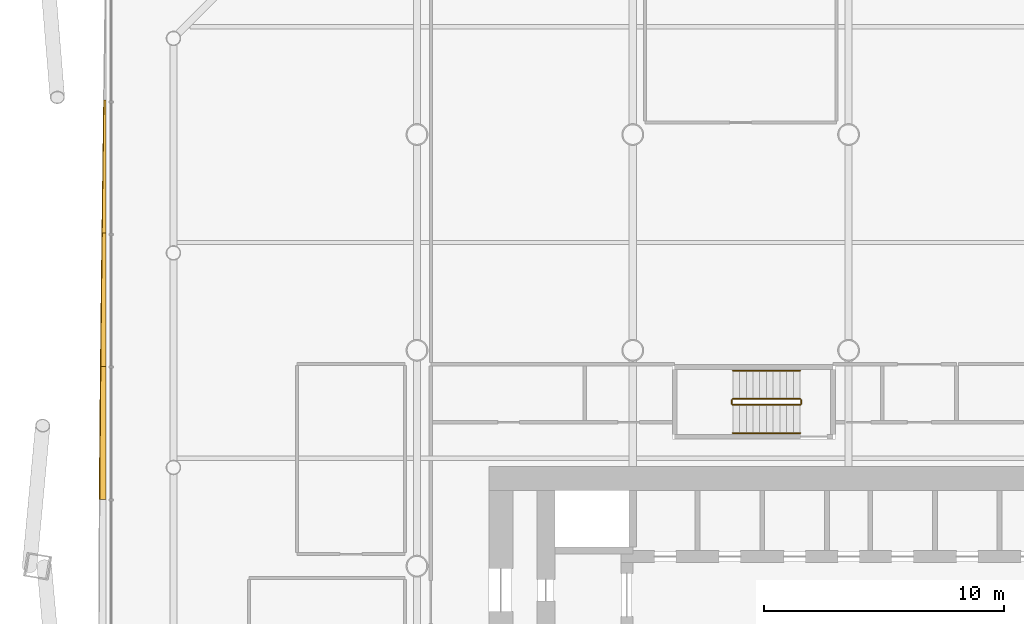
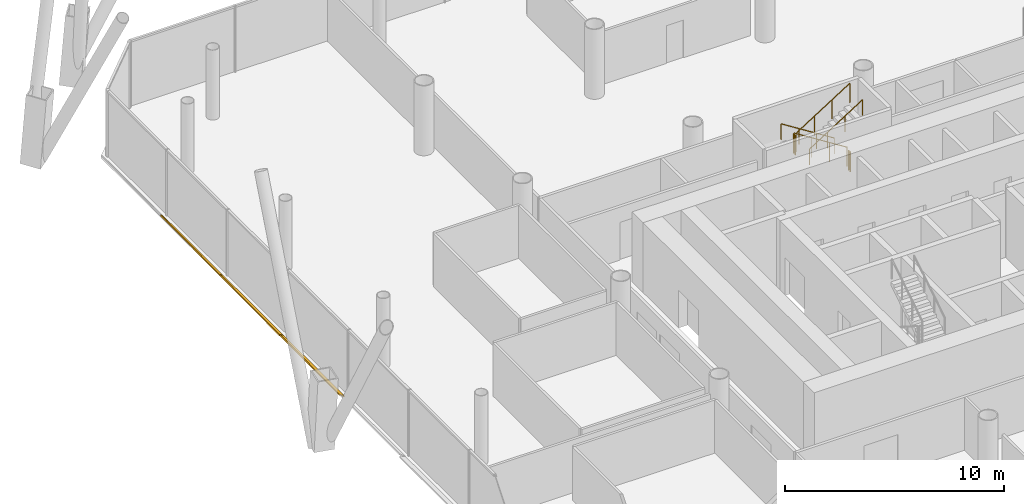
# One storey, part 24 of 25: 6 railings, 3 shading devices.
"""IFC4 building model written with IfcOpenShell, lengths in metres."""

import ifcopenshell
import ifcopenshell.guid

model = None  # the IFC model being written
_history = None  # IfcOwnerHistory: only IFC2X3 demands one
_inside = {}  # id of a spatial element -> (the spatial element, [elements in it])
_under = {}  # id of a project, library or spatial element -> (it, [spatial elements below it])
_declared = {}  # id of a project -> (the project, [libraries it declares])
_typed = {}  # id of a type object -> (the type object, [elements of that type])
_made_of = {}  # id of a material, layer set ... -> (it, [elements and type objects made of it])


def new_model(schema):
    """Start an empty IFC model of exactly this schema.

    Asked for "IFC4X3", IfcOpenShell would pick the latest addendum, in which some entities
    have other attributes; the version numbers below select the first issue.
    IFC2X3 requires an IfcOwnerHistory on every rooted entity: one is made here for all.
    """
    global model, _history
    if schema == "IFC4X3":
        model = ifcopenshell.file(schema_version=(4, 3, 0, 0))
    else:
        model = ifcopenshell.file(schema=schema)
    _inside.clear()
    _under.clear()
    _declared.clear()
    _typed.clear()
    _made_of.clear()
    _history = None
    if model.schema == "IFC2X3":
        org = make("IfcOrganization", Name="unknown")
        user = make(
            "IfcPersonAndOrganization",
            ThePerson=make("IfcPerson", FamilyName="unknown"),
            TheOrganization=org,
        )
        app = make(
            "IfcApplication",
            ApplicationDeveloper=org,
            Version="unknown",
            ApplicationFullName="unknown",
            ApplicationIdentifier="unknown",
        )
        _history = make(
            "IfcOwnerHistory",
            OwningUser=user,
            OwningApplication=app,
            ChangeAction="ADDED",
            CreationDate=0,
        )
    return model


def make(cls, **values):
    """One entity of the class cls with the attributes given. An attribute that is None is left unset."""
    return model.create_entity(
        cls, **{name: value for name, value in values.items() if value is not None}
    )


def rooted(cls, **values):
    """An entity with a GlobalId (a new one), such as an element, a storey or a relation."""
    return make(cls, GlobalId=ifcopenshell.guid.new(), OwnerHistory=_history, **values)


def si_unit(unit_type, name, prefix=None):
    """IfcSIUnit, for example si_unit("LENGTHUNIT", "METRE", prefix="MILLI")."""
    return make("IfcSIUnit", UnitType=unit_type, Prefix=prefix, Name=name)


def assignment(units):
    """IfcUnitAssignment: the units of a project."""
    return None if units is None else make("IfcUnitAssignment", Units=units)


def point(xyz):
    """IfcCartesianPoint."""
    return None if xyz is None else make("IfcCartesianPoint", Coordinates=xyz)


def direction(xyz):
    """IfcDirection."""
    return None if xyz is None else make("IfcDirection", DirectionRatios=xyz)


def frame(location, z_axis=None, x_axis=None):
    """IfcAxis2Placement3D, a coordinate frame: its origin and axes. An axis left out is left unset."""
    return make(
        "IfcAxis2Placement3D",
        Location=point(location),
        Axis=direction(z_axis),
        RefDirection=direction(x_axis),
    )


def frame_2d(location, x_axis=None):
    """IfcAxis2Placement2D, a coordinate frame in the plane: its origin and x axis."""
    return make(
        "IfcAxis2Placement2D", Location=point(location), RefDirection=direction(x_axis)
    )


def origin():
    """The frame at (0, 0, 0) with its axes left unset."""
    return frame((0.0, 0.0, 0.0))


def origin_2d():
    """The frame at (0, 0) in the plane with its x axis left unset."""
    return frame_2d((0.0, 0.0))


def place(relative_to, where):
    """IfcLocalPlacement: puts the frame where relative to a parent placement (None: the world)."""
    return make(
        "IfcLocalPlacement", PlacementRelTo=relative_to, RelativePlacement=where
    )


def context(
    kind, dimensions, precision=None, world=None, true_north=None, identifier=None
):
    """IfcGeometricRepresentationContext, for example the 3D "Model" context."""
    return make(
        "IfcGeometricRepresentationContext",
        ContextIdentifier=identifier,
        ContextType=kind,
        CoordinateSpaceDimension=dimensions,
        Precision=precision,
        WorldCoordinateSystem=world,
        TrueNorth=true_north,
    )


def subcontext(parent, identifier, kind, view, scale=None):
    """IfcGeometricRepresentationSubContext, for example "Body" below "Model"."""
    return make(
        "IfcGeometricRepresentationSubContext",
        ContextIdentifier=identifier,
        ContextType=kind,
        ParentContext=parent,
        TargetScale=scale,
        TargetView=view,
    )


def project(units=None, contexts=None):
    """IfcProject with its units and contexts."""
    return rooted(
        "IfcProject",
        Name="project",
        RepresentationContexts=contexts,
        UnitsInContext=assignment(units),
    )


def spatial(cls, under=None, at=None, **own):
    """A site, building, storey or space (cls), placed at a placement, below another one or the project."""
    s = rooted(cls, ObjectPlacement=at, **own)
    if under is not None:
        _under.setdefault(under.id(), (under, []))[1].append(s)
    return s


def polyline(points):
    """IfcPolyline through the points."""
    return make("IfcPolyline", Points=[point(p) for p in points])


def profile(cls, at=None, kind="AREA", **sizes):
    """A parametric profile (cls). Its sizes go by their IFC names, for example OverallWidth=200.0."""
    return make(cls, ProfileType=kind, Position=at, **sizes)


def circle(**sizes):
    """IfcCircleProfileDef."""
    return profile("IfcCircleProfileDef", **sizes)


def outline(outer, holes=None, kind="AREA"):
    """IfcArbitraryClosedProfileDef: a profile drawn as a closed curve; with holes, ...WithVoids."""
    if holes is None:
        return make("IfcArbitraryClosedProfileDef", ProfileType=kind, OuterCurve=outer)
    return make(
        "IfcArbitraryProfileDefWithVoids",
        ProfileType=kind,
        OuterCurve=outer,
        InnerCurves=holes,
    )


def extrude(swept, where, along, depth):
    """IfcExtrudedAreaSolid: the profile swept, set in the frame where, extruded along a direction by depth."""
    return make(
        "IfcExtrudedAreaSolid",
        SweptArea=swept,
        Position=where,
        ExtrudedDirection=direction(along),
        Depth=depth,
    )


def shape(context_of_items, identifier, shape_type, items):
    """IfcShapeRepresentation: the items that make up one representation, for example the "Body"."""
    return make(
        "IfcShapeRepresentation",
        ContextOfItems=context_of_items,
        RepresentationIdentifier=identifier,
        RepresentationType=shape_type,
        Items=items,
    )


def material(Name=None, Category=None):
    """IfcMaterial."""
    return make("IfcMaterial", Name=Name, Category=Category)


def layer(
    of_material, thickness, ventilated=None, Name=None, Category=None, Priority=None
):
    """IfcMaterialLayer: one layer of a wall or slab, of a material (None: an air gap)."""
    return make(
        "IfcMaterialLayer",
        Material=of_material,
        LayerThickness=thickness,
        IsVentilated=ventilated,
        Name=Name,
        Category=Category,
        Priority=Priority,
    )


def layer_set(layers, Name=None):
    """IfcMaterialLayerSet."""
    return make("IfcMaterialLayerSet", MaterialLayers=layers, LayerSetName=Name)


def made_of(thing, what):
    """Note that an element or type object is made of a material, layer set ...; save() writes the relation."""
    if what is not None:
        _made_of.setdefault(what.id(), (what, []))[1].append(thing)
    return thing


def type_object(cls, material=None, **own):
    """A type object (cls), such as IfcWallType, which elements share."""
    return made_of(rooted(cls, **own), material)


def element(
    cls,
    number,
    at=None,
    inside=None,
    cuts=None,
    type_object=None,
    material=None,
    context=None,
    identifier="Body",
    shape_type=None,
    held_by="IfcProductDefinitionShape",
    body=None,
    shapes=None,
    **own,
):
    """One element of the class cls, such as IfcWall. Its Tag is "e" and its number.

    at: its placement. inside: the storey or other place that contains it. cuts: it is an
    opening in that element (IfcRelVoidsElement). A single representation is given by context,
    identifier, shape_type and body (its items); several are given by shapes. held_by: the class
    of the entity that holds the representations. save() writes the other relations.
    """
    e = rooted(cls, Tag="e%d" % number, ObjectPlacement=at, **own)
    if body is not None:
        shapes = [shape(context, identifier, shape_type, body)]
    if shapes is not None:
        e.Representation = make(held_by, Representations=shapes)
    if inside is not None:
        _inside.setdefault(inside.id(), (inside, []))[1].append(e)
    if cuts is not None:
        rooted(
            "IfcRelVoidsElement", RelatingBuildingElement=cuts, RelatedOpeningElement=e
        )
    if type_object is not None:
        _typed.setdefault(type_object.id(), (type_object, []))[1].append(e)
    return made_of(e, material)


def aggregate(whole, parts):
    """IfcRelAggregates: a whole, such as a stair, and the parts it consists of."""
    return rooted("IfcRelAggregates", RelatingObject=whole, RelatedObjects=parts)


def save(model, path):
    """Write the relations noted so far, then the file.

    IfcRelAggregates (storeys below a building ...), IfcRelContainedInSpatialStructure (elements
    in a storey), IfcRelDefinesByType, IfcRelAssociatesMaterial and IfcRelDeclares: one each for
    every whole, place, type object, material and project.
    """
    for whole, parts in _under.values():
        aggregate(whole, parts)
    for where, things in _inside.values():
        rooted(
            "IfcRelContainedInSpatialStructure",
            RelatedElements=things,
            RelatingStructure=where,
        )
    for kind, things in _typed.values():
        rooted("IfcRelDefinesByType", RelatedObjects=things, RelatingType=kind)
    for what, things in _made_of.values():
        rooted("IfcRelAssociatesMaterial", RelatedObjects=things, RelatingMaterial=what)
    for by, libraries in _declared.values():
        rooted("IfcRelDeclares", RelatingContext=by, RelatedDefinitions=libraries)
    model.write(path)


model = new_model("IFC4")

# Units and contexts
model_context = context("Model", 3, precision=1e-05, world=origin(), true_north=direction((0.0, 1.0)))
body_context = subcontext(model_context, "Body", "Model", "MODEL_VIEW")
ifc_project = project(units=[si_unit("LENGTHUNIT", "METRE"), si_unit("AREAUNIT", "SQUARE_METRE"), si_unit("VOLUMEUNIT", "CUBIC_METRE"), si_unit("PLANEANGLEUNIT", "RADIAN"), si_unit("MASSUNIT", "GRAM", prefix="KILO")], contexts=[model_context])

# Site, building, storey
site_placement = place(None, origin())
site = spatial("IfcSite", under=ifc_project, at=site_placement, CompositionType="ELEMENT")
building_placement = place(site_placement, origin())
building = spatial("IfcBuilding", under=site, at=building_placement, Name="Tskaro Facet Tower", CompositionType="ELEMENT")
storey_placement = place(building_placement, frame((0.0, 0.0, 10.800048828125)))
storey = spatial("IfcBuildingStorey", under=building, at=storey_placement, Name="L01", CompositionType="ELEMENT", Elevation=10.800048828125)

# Shading devices
ifc_material_1 = material(Name="Bronze anodised aluminium 6063-T6", Category="aluminium")
ifc_layer = layer(ifc_material_1, 0.06005859375, Name="Bronze anodised aluminium 6063-T6")
ifc_layer_set = layer_set([ifc_layer], Name="Bronze anodised aluminium 6063-T6")
shading_device_type = type_object("IfcShadingDeviceType", Name="Bronze sun blade (FN1)", PredefinedType="USERDEFINED", material=ifc_layer_set)
shading_device_1_placement = place(storey_placement, frame((-30.974609375, 19.4443359375, 0.054443359375), z_axis=(0.421696912732, 7.174329e-06, 0.906736849224), x_axis=(3.025392e-06, -0.999999999974, 6.505229e-06)))
element("IfcShadingDevice", 1, at=shading_device_1_placement, inside=storey, type_object=shading_device_type, Name="Fin blade west 2", ObjectType="FIN", PredefinedType="USERDEFINED", context=body_context, shape_type="SweptSolid", body=[
    extrude(outline(polyline([(0.0, 0.0), (5.555419921732028, 2.352811854830518e-21), (5.55541992247913, -0.16940787929938625), (4.861083984588123, -0.15968830554705815), (4.166503906072122, -0.14996873179473008), (3.472167969658357, -0.13980641544023042), (2.777587890292786, -0.12976251703897893), (2.083251952290831, -0.11949724733664163), (1.3886718744025026, -0.10901060633321856), (0.6943359371391683, -0.0985239653297955), (6.144552565946727e-10, -0.08781595302528665), (0.0, 0.0)])), origin(), (0.0, 0.0, -1.0), 0.06005859375),
])
shading_device_2_placement = place(storey_placement, frame((-30.969970703125, 13.888916015625, 0.052001953125), z_axis=(0.49976140172, -5.769865e-06, 0.866163114729), x_axis=(-2.883556e-06, -0.999999999983, -4.997644e-06)))
element("IfcShadingDevice", 2, at=shading_device_2_placement, inside=storey, type_object=shading_device_type, Name="Fin blade west 3", ObjectType="FIN", PredefinedType="USERDEFINED", context=body_context, shape_type="SweptSolid", body=[
    extrude(outline(polyline([(0.0, 0.0), (5.555664062407522, 2.3529152524070872e-21), (5.555664062660025, -0.24970668846340535), (4.861083983652834, -0.24162199296652526), (4.166748047006901, -0.23308180774352197), (3.4721679690319807, -0.22433015691633323), (2.777832030978062, -0.215367040484959), (2.0832519535192757, -0.20628191199261592), (1.388916015277499, -0.19677385229190195), (0.6945800782558506, -0.1871437805302191), (-9.478716838326458e-11, -0.17730224316435075), (0.0, 0.0)])), origin(), (0.0, 0.0, -1.0), 0.06005859375),
])
shading_device_3_placement = place(storey_placement, frame((-30.965576171875, 8.333251953125, 0.049072265625), z_axis=(0.573573508189, 5.277888e-06, 0.819154094585), x_axis=(3.027257e-06, -0.999999999986, 4.323404e-06)))
element("IfcShadingDevice", 3, at=shading_device_3_placement, inside=storey, type_object=shading_device_type, Name="Fin blade west 4", ObjectType="FIN", PredefinedType="USERDEFINED", context=body_context, shape_type="SweptSolid", body=[
    extrude(outline(polyline([(0.0, 0.0), (5.555419921797624, -2.352811854830518e-21), (5.5554199226226295, -0.32199257028066297), (4.861083984081051, -0.3158923055065201), (4.166503905653551, -0.3095920519397509), (3.4721679682736832, -0.3027517881929549), (2.7775878910078946, -0.2957115356535326), (2.083251952995142, -0.2881912291319349), (1.388916015721466, -0.28047093381771104), (0.694335937506351, -0.2724106171160864), (6.553092301904521e-10, -0.26415031162183555), (0.0, 0.0)])), origin(), (0.0, 0.0, -1.0), 0.06005859375),
])

# Railings
ifc_material_2 = material(Name="Stainless steel", Category="steel")
railing_type_1 = type_object("IfcRailingType", Name="RL-GUARD-1100", PredefinedType="GUARDRAIL", material=ifc_material_2)
railing_1_placement = place(storey_placement, frame((-2.02490234375, 6.97509765625, 0.17724609375)))
element("IfcRailing", 4, at=railing_1_placement, inside=storey, type_object=railing_type_1, Name="L01 ST-3 stair guard 1", PredefinedType="GUARDRAIL", context=body_context, shape_type="SweptSolid", body=[
    extrude(circle(Radius=0.02392578125, at=origin_2d()), frame((0.0, 0.0, 1.076171875), z_axis=(-0.844908973607, 0.0, 0.534910110503), x_axis=(0.0, -1.0, 0.0)), (0.0, 0.0, 1.0), 3.31396484375),
    extrude(circle(Radius=0.02099609375, at=origin_2d()), origin(), (0.0, 0.0, 1.0), 1.052001953125),
    extrude(circle(Radius=0.02099609375, at=origin_2d()), frame((-0.933349609375, 0.0, 0.5908203125)), (0.0, 0.0, 1.0), 1.052001953125),
    extrude(circle(Radius=0.02099609375, at=origin_2d()), frame((-1.86669921875, 0.0, 1.181884765625)), (0.0, 0.0, 1.0), 1.052001953125),
    extrude(circle(Radius=0.02099609375, at=origin_2d()), frame((-2.800048828125, 0.0, 1.772705078125)), (0.0, 0.0, 1.0), 1.052001953125),
])
railing_2_placement = place(storey_placement, frame((-4.875, 6.925048828125, 1.949951171875)))
element("IfcRailing", 5, at=railing_2_placement, inside=storey, type_object=railing_type_1, Name="L01 ST-3 stair guard 2", PredefinedType="GUARDRAIL", context=body_context, shape_type="SweptSolid", body=[
    extrude(circle(Radius=0.02392578125, at=origin_2d()), frame((0.0, 0.0, 1.076171875), z_axis=(0.0, -1.0, 0.0), x_axis=(1.0, 0.0, 0.0)), (0.0, 0.0, 1.0), 0.150146484375),
    extrude(circle(Radius=0.02099609375, at=origin_2d()), origin(), (0.0, 0.0, 1.0), 1.052001953125),
    extrude(circle(Radius=0.02099609375, at=origin_2d()), frame((0.0, -0.150146484375, 0.0)), (0.0, 0.0, 1.0), 1.052001953125),
])
railing_3_placement = place(storey_placement, frame((-4.824951171875, 6.72509765625, 2.127197265625)))
element("IfcRailing", 6, at=railing_3_placement, inside=storey, type_object=railing_type_1, Name="L01 ST-3 stair guard 3", PredefinedType="GUARDRAIL", context=body_context, shape_type="SweptSolid", body=[
    extrude(circle(Radius=0.02392578125, at=origin_2d()), frame((0.0, 0.0, 1.076171875), z_axis=(0.844908973607, 0.0, 0.534910110503), x_axis=(0.0, 1.0, 0.0)), (0.0, 0.0, 1.0), 3.31396484375),
    extrude(circle(Radius=0.02099609375, at=origin_2d()), origin(), (0.0, 0.0, 1.0), 1.052001953125),
    extrude(circle(Radius=0.02099609375, at=origin_2d()), frame((0.933349609375, 0.0, 0.5908203125)), (0.0, 0.0, 1.0), 1.052001953125),
    extrude(circle(Radius=0.02099609375, at=origin_2d()), frame((1.86669921875, 0.0, 1.181884765625)), (0.0, 0.0, 1.0), 1.052001953125),
    extrude(circle(Radius=0.02099609375, at=origin_2d()), frame((2.800048828125, 0.0, 1.772705078125)), (0.0, 0.0, 1.0), 1.052001953125),
])
railing_4_placement = place(storey_placement, frame((-1.97509765625, 6.925048828125, 0.0)))
element("IfcRailing", 7, at=railing_4_placement, inside=storey, type_object=railing_type_1, Name="L01 ST-3 stair guard 4", PredefinedType="GUARDRAIL", context=body_context, shape_type="SweptSolid", body=[
    extrude(circle(Radius=0.02392578125, at=origin_2d()), frame((0.0, 0.0, 1.076171875), z_axis=(0.0, -1.0, 0.0), x_axis=(1.0, 0.0, 0.0)), (0.0, 0.0, 1.0), 0.150146484375),
    extrude(circle(Radius=0.02099609375, at=origin_2d()), origin(), (0.0, 0.0, 1.0), 1.052001953125),
    extrude(circle(Radius=0.02099609375, at=origin_2d()), frame((0.0, -0.150146484375, 0.0)), (0.0, 0.0, 1.0), 1.052001953125),
])
railing_type_2 = type_object("IfcRailingType", Name="RL-HANDRAIL-900", PredefinedType="HANDRAIL", material=ifc_material_2)
railing_5_placement = place(storey_placement, frame((-2.02490234375, 8.14990234375, 0.17724609375)))
element("IfcRailing", 8, at=railing_5_placement, inside=storey, type_object=railing_type_2, Name="L01 ST-3 stair handrail 1", PredefinedType="HANDRAIL", context=body_context, shape_type="SweptSolid", body=[
    extrude(circle(Radius=0.02392578125, at=origin_2d()), frame((0.0, 0.0, 0.8759765625), z_axis=(-0.844908973607, 0.0, 0.534910110503), x_axis=(0.0, -1.0, 0.0)), (0.0, 0.0, 1.0), 3.31396484375),
    extrude(circle(Radius=0.02099609375, at=origin_2d()), origin(), (0.0, 0.0, 1.0), 0.851806640625),
    extrude(circle(Radius=0.02099609375, at=origin_2d()), frame((-0.933349609375, 0.0, 0.5908203125)), (0.0, 0.0, 1.0), 0.851806640625),
    extrude(circle(Radius=0.02099609375, at=origin_2d()), frame((-1.86669921875, 0.0, 1.181884765625)), (0.0, 0.0, 1.0), 0.851806640625),
    extrude(circle(Radius=0.02099609375, at=origin_2d()), frame((-2.800048828125, 0.0, 1.772705078125)), (0.0, 0.0, 1.0), 0.851806640625),
])
railing_6_placement = place(storey_placement, frame((-4.824951171875, 5.550048828125, 2.127197265625)))
element("IfcRailing", 9, at=railing_6_placement, inside=storey, type_object=railing_type_2, Name="L01 ST-3 stair handrail 2", PredefinedType="HANDRAIL", context=body_context, shape_type="SweptSolid", body=[
    extrude(circle(Radius=0.02392578125, at=origin_2d()), frame((0.0, 0.0, 0.8759765625), z_axis=(0.844908973607, 0.0, 0.534910110503), x_axis=(0.0, 1.0, 0.0)), (0.0, 0.0, 1.0), 3.31396484375),
    extrude(circle(Radius=0.02099609375, at=origin_2d()), origin(), (0.0, 0.0, 1.0), 0.851806640625),
    extrude(circle(Radius=0.02099609375, at=origin_2d()), frame((0.933349609375, 0.0, 0.5908203125)), (0.0, 0.0, 1.0), 0.851806640625),
    extrude(circle(Radius=0.02099609375, at=origin_2d()), frame((1.86669921875, 0.0, 1.181884765625)), (0.0, 0.0, 1.0), 0.851806640625),
    extrude(circle(Radius=0.02099609375, at=origin_2d()), frame((2.800048828125, 0.0, 1.772705078125)), (0.0, 0.0, 1.0), 0.851806640625),
])

save(model, "model.ifc")
